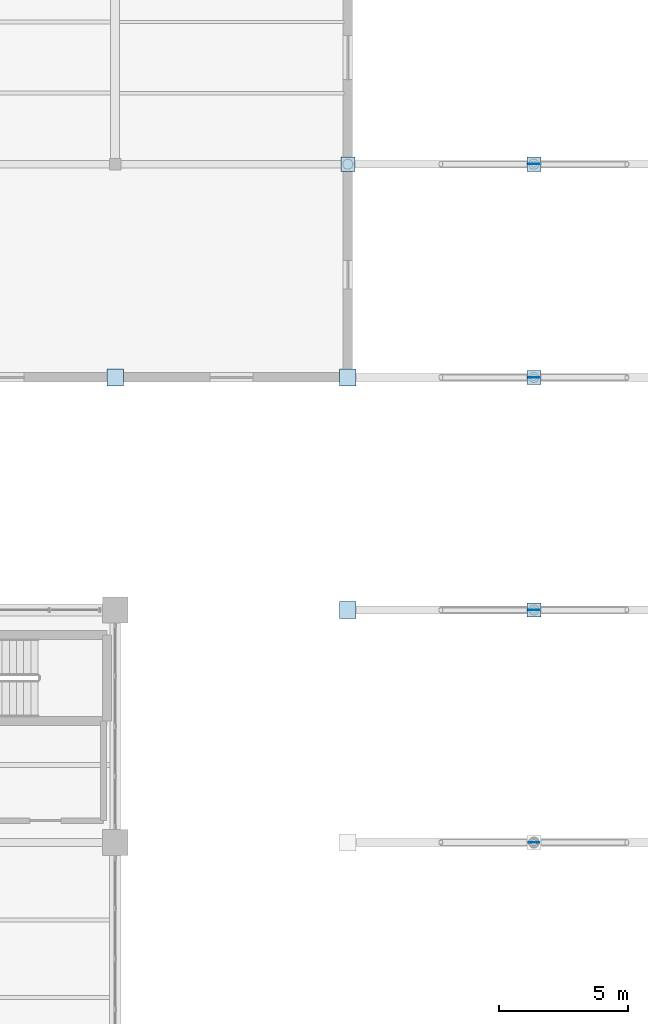
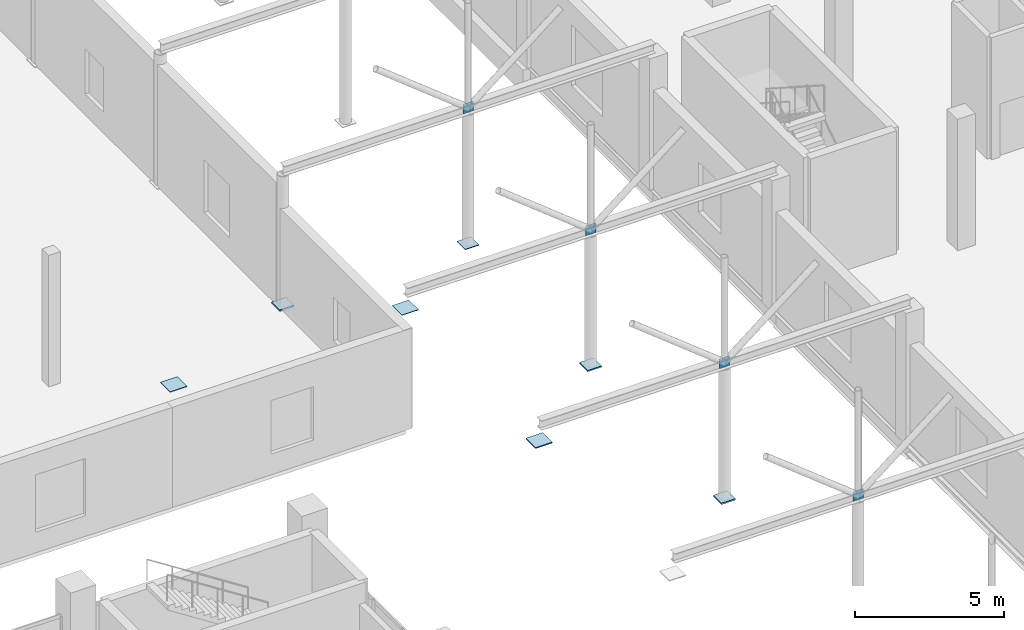
# One storey, part 125 of 147: 11 plates.
"""IFC4 building model written with IfcOpenShell, lengths in metres."""

import ifcopenshell
import ifcopenshell.guid

model = None  # the IFC model being written
_history = None  # IfcOwnerHistory: only IFC2X3 demands one
_inside = {}  # id of a spatial element -> (the spatial element, [elements in it])
_under = {}  # id of a project, library or spatial element -> (it, [spatial elements below it])
_declared = {}  # id of a project -> (the project, [libraries it declares])
_typed = {}  # id of a type object -> (the type object, [elements of that type])
_made_of = {}  # id of a material, layer set ... -> (it, [elements and type objects made of it])


def new_model(schema):
    """Start an empty IFC model of exactly this schema.

    Asked for "IFC4X3", IfcOpenShell would pick the latest addendum, in which some entities
    have other attributes; the version numbers below select the first issue.
    IFC2X3 requires an IfcOwnerHistory on every rooted entity: one is made here for all.
    """
    global model, _history
    if schema == "IFC4X3":
        model = ifcopenshell.file(schema_version=(4, 3, 0, 0))
    else:
        model = ifcopenshell.file(schema=schema)
    _inside.clear()
    _under.clear()
    _declared.clear()
    _typed.clear()
    _made_of.clear()
    _history = None
    if model.schema == "IFC2X3":
        org = make("IfcOrganization", Name="unknown")
        user = make(
            "IfcPersonAndOrganization",
            ThePerson=make("IfcPerson", FamilyName="unknown"),
            TheOrganization=org,
        )
        app = make(
            "IfcApplication",
            ApplicationDeveloper=org,
            Version="unknown",
            ApplicationFullName="unknown",
            ApplicationIdentifier="unknown",
        )
        _history = make(
            "IfcOwnerHistory",
            OwningUser=user,
            OwningApplication=app,
            ChangeAction="ADDED",
            CreationDate=0,
        )
    return model


def make(cls, **values):
    """One entity of the class cls with the attributes given. An attribute that is None is left unset."""
    return model.create_entity(
        cls, **{name: value for name, value in values.items() if value is not None}
    )


def rooted(cls, **values):
    """An entity with a GlobalId (a new one), such as an element, a storey or a relation."""
    return make(cls, GlobalId=ifcopenshell.guid.new(), OwnerHistory=_history, **values)


def si_unit(unit_type, name, prefix=None):
    """IfcSIUnit, for example si_unit("LENGTHUNIT", "METRE", prefix="MILLI")."""
    return make("IfcSIUnit", UnitType=unit_type, Prefix=prefix, Name=name)


def assignment(units):
    """IfcUnitAssignment: the units of a project."""
    return None if units is None else make("IfcUnitAssignment", Units=units)


def point(xyz):
    """IfcCartesianPoint."""
    return None if xyz is None else make("IfcCartesianPoint", Coordinates=xyz)


def direction(xyz):
    """IfcDirection."""
    return None if xyz is None else make("IfcDirection", DirectionRatios=xyz)


def frame(location, z_axis=None, x_axis=None):
    """IfcAxis2Placement3D, a coordinate frame: its origin and axes. An axis left out is left unset."""
    return make(
        "IfcAxis2Placement3D",
        Location=point(location),
        Axis=direction(z_axis),
        RefDirection=direction(x_axis),
    )


def frame_2d(location, x_axis=None):
    """IfcAxis2Placement2D, a coordinate frame in the plane: its origin and x axis."""
    return make(
        "IfcAxis2Placement2D", Location=point(location), RefDirection=direction(x_axis)
    )


def origin():
    """The frame at (0, 0, 0) with its axes left unset."""
    return frame((0.0, 0.0, 0.0))


def origin_2d():
    """The frame at (0, 0) in the plane with its x axis left unset."""
    return frame_2d((0.0, 0.0))


def place(relative_to, where):
    """IfcLocalPlacement: puts the frame where relative to a parent placement (None: the world)."""
    return make(
        "IfcLocalPlacement", PlacementRelTo=relative_to, RelativePlacement=where
    )


def context(
    kind, dimensions, precision=None, world=None, true_north=None, identifier=None
):
    """IfcGeometricRepresentationContext, for example the 3D "Model" context."""
    return make(
        "IfcGeometricRepresentationContext",
        ContextIdentifier=identifier,
        ContextType=kind,
        CoordinateSpaceDimension=dimensions,
        Precision=precision,
        WorldCoordinateSystem=world,
        TrueNorth=true_north,
    )


def subcontext(parent, identifier, kind, view, scale=None):
    """IfcGeometricRepresentationSubContext, for example "Body" below "Model"."""
    return make(
        "IfcGeometricRepresentationSubContext",
        ContextIdentifier=identifier,
        ContextType=kind,
        ParentContext=parent,
        TargetScale=scale,
        TargetView=view,
    )


def project(units=None, contexts=None):
    """IfcProject with its units and contexts."""
    return rooted(
        "IfcProject",
        Name="project",
        RepresentationContexts=contexts,
        UnitsInContext=assignment(units),
    )


def spatial(cls, under=None, at=None, **own):
    """A site, building, storey or space (cls), placed at a placement, below another one or the project."""
    s = rooted(cls, ObjectPlacement=at, **own)
    if under is not None:
        _under.setdefault(under.id(), (under, []))[1].append(s)
    return s


def profile(cls, at=None, kind="AREA", **sizes):
    """A parametric profile (cls). Its sizes go by their IFC names, for example OverallWidth=200.0."""
    return make(cls, ProfileType=kind, Position=at, **sizes)


def rectangle(**sizes):
    """IfcRectangleProfileDef."""
    return profile("IfcRectangleProfileDef", **sizes)


def extrude(swept, where, along, depth):
    """IfcExtrudedAreaSolid: the profile swept, set in the frame where, extruded along a direction by depth."""
    return make(
        "IfcExtrudedAreaSolid",
        SweptArea=swept,
        Position=where,
        ExtrudedDirection=direction(along),
        Depth=depth,
    )


def shape(context_of_items, identifier, shape_type, items):
    """IfcShapeRepresentation: the items that make up one representation, for example the "Body"."""
    return make(
        "IfcShapeRepresentation",
        ContextOfItems=context_of_items,
        RepresentationIdentifier=identifier,
        RepresentationType=shape_type,
        Items=items,
    )


def material(Name=None, Category=None):
    """IfcMaterial."""
    return make("IfcMaterial", Name=Name, Category=Category)


def layer(
    of_material, thickness, ventilated=None, Name=None, Category=None, Priority=None
):
    """IfcMaterialLayer: one layer of a wall or slab, of a material (None: an air gap)."""
    return make(
        "IfcMaterialLayer",
        Material=of_material,
        LayerThickness=thickness,
        IsVentilated=ventilated,
        Name=Name,
        Category=Category,
        Priority=Priority,
    )


def layer_set(layers, Name=None):
    """IfcMaterialLayerSet."""
    return make("IfcMaterialLayerSet", MaterialLayers=layers, LayerSetName=Name)


def made_of(thing, what):
    """Note that an element or type object is made of a material, layer set ...; save() writes the relation."""
    if what is not None:
        _made_of.setdefault(what.id(), (what, []))[1].append(thing)
    return thing


def type_object(cls, material=None, **own):
    """A type object (cls), such as IfcWallType, which elements share."""
    return made_of(rooted(cls, **own), material)


def element(
    cls,
    number,
    at=None,
    inside=None,
    cuts=None,
    type_object=None,
    material=None,
    context=None,
    identifier="Body",
    shape_type=None,
    held_by="IfcProductDefinitionShape",
    body=None,
    shapes=None,
    **own,
):
    """One element of the class cls, such as IfcWall. Its Tag is "e" and its number.

    at: its placement. inside: the storey or other place that contains it. cuts: it is an
    opening in that element (IfcRelVoidsElement). A single representation is given by context,
    identifier, shape_type and body (its items); several are given by shapes. held_by: the class
    of the entity that holds the representations. save() writes the other relations.
    """
    e = rooted(cls, Tag="e%d" % number, ObjectPlacement=at, **own)
    if body is not None:
        shapes = [shape(context, identifier, shape_type, body)]
    if shapes is not None:
        e.Representation = make(held_by, Representations=shapes)
    if inside is not None:
        _inside.setdefault(inside.id(), (inside, []))[1].append(e)
    if cuts is not None:
        rooted(
            "IfcRelVoidsElement", RelatingBuildingElement=cuts, RelatedOpeningElement=e
        )
    if type_object is not None:
        _typed.setdefault(type_object.id(), (type_object, []))[1].append(e)
    return made_of(e, material)


def aggregate(whole, parts):
    """IfcRelAggregates: a whole, such as a stair, and the parts it consists of."""
    return rooted("IfcRelAggregates", RelatingObject=whole, RelatedObjects=parts)


def save(model, path):
    """Write the relations noted so far, then the file.

    IfcRelAggregates (storeys below a building ...), IfcRelContainedInSpatialStructure (elements
    in a storey), IfcRelDefinesByType, IfcRelAssociatesMaterial and IfcRelDeclares: one each for
    every whole, place, type object, material and project.
    """
    for whole, parts in _under.values():
        aggregate(whole, parts)
    for where, things in _inside.values():
        rooted(
            "IfcRelContainedInSpatialStructure",
            RelatedElements=things,
            RelatingStructure=where,
        )
    for kind, things in _typed.values():
        rooted("IfcRelDefinesByType", RelatedObjects=things, RelatingType=kind)
    for what, things in _made_of.values():
        rooted("IfcRelAssociatesMaterial", RelatedObjects=things, RelatingMaterial=what)
    for by, libraries in _declared.values():
        rooted("IfcRelDeclares", RelatingContext=by, RelatedDefinitions=libraries)
    model.write(path)


model = new_model("IFC4")

# Units and contexts
model_context = context("Model", 3, precision=1e-05, world=origin(), true_north=direction((0.0, 1.0)))
body_context = subcontext(model_context, "Body", "Model", "MODEL_VIEW")
ifc_project = project(units=[si_unit("LENGTHUNIT", "METRE"), si_unit("AREAUNIT", "SQUARE_METRE"), si_unit("VOLUMEUNIT", "CUBIC_METRE"), si_unit("PLANEANGLEUNIT", "RADIAN"), si_unit("MASSUNIT", "GRAM", prefix="KILO")], contexts=[model_context])

# Site, building, storey
site_placement = place(None, origin())
site = spatial("IfcSite", under=ifc_project, at=site_placement, CompositionType="ELEMENT")
building_placement = place(site_placement, origin())
building = spatial("IfcBuilding", under=site, at=building_placement, Name="Sundgate Opera House", CompositionType="ELEMENT")
storey_placement = place(building_placement, frame((0.0, 0.0, 6.0)))
storey = spatial("IfcBuildingStorey", under=building, at=storey_placement, Name="L01", CompositionType="ELEMENT", Elevation=6.0)

# Plates
ifc_material_1 = material(Name="Steel S355J2", Category="steel")
ifc_layer_1 = layer(ifc_material_1, 0.030029296875)
ifc_layer_set_1 = layer_set([ifc_layer_1], Name="Steel S355J2")
plate_type_1 = type_object("IfcPlateType", Name="PT-BAS-30", PredefinedType="USERDEFINED", material=ifc_layer_set_1)
plate_1_placement = place(storey_placement, frame((88.199951171875, 95.25, 0.0), z_axis=(0.0, 0.0, 1.0), x_axis=(1.0, 0.0, 0.0)))
element("IfcPlate", 1, at=plate_1_placement, inside=storey, type_object=plate_type_1, Name="L01 Base Plate PT0203", ObjectType="BASE PLATE", PredefinedType="USERDEFINED", context=body_context, shape_type="SweptSolid", body=[
    extrude(rectangle(XDim=0.5458984375, YDim=0.5458984375, at=origin_2d()), origin(), (0.0, 0.0, 1.0), 0.030029296875),
])
ifc_material_2 = material(Name="Steel S355J2", Category="steel")
ifc_layer_2 = layer(ifc_material_2, 0.055908203125)
ifc_layer_set_2 = layer_set([ifc_layer_2], Name="Steel S355J2")
plate_type_2 = type_object("IfcPlateType", Name="PT-BAS-56", PredefinedType="USERDEFINED", material=ifc_layer_set_2)
plate_2_placement = place(storey_placement, frame((88.199951171875, 87.0, 0.0), z_axis=(0.0, 0.0, 1.0), x_axis=(1.0, 0.0, 0.0)))
element("IfcPlate", 2, at=plate_2_placement, inside=storey, type_object=plate_type_2, Name="L01 Base Plate PT0201", ObjectType="BASE PLATE", PredefinedType="USERDEFINED", context=body_context, shape_type="SweptSolid", body=[
    extrude(rectangle(XDim=0.5458984375, YDim=0.5458984375, at=origin_2d()), origin(), (0.0, 0.0, 1.0), 0.055908203125),
])
ifc_material_3 = material(Name="Steel S355J2", Category="steel")
ifc_layer_3 = layer(ifc_material_3, 0.06201171875)
ifc_layer_set_3 = layer_set([ifc_layer_3], Name="Steel S355J2")
plate_type_3 = type_object("IfcPlateType", Name="PT-BAS-62", PredefinedType="USERDEFINED", material=ifc_layer_set_3)
for number, where, z_axis, x_axis, name in (
    (3, (81.0, 95.25, 0.0), (0.0, 0.0, 1.0), (1.0, 0.0, 0.0), "L01 Base Plate PT0173"),
    (4, (88.199951171875, 78.0, 0.0), (0.0, 0.0, 1.0), (1.0, 0.0, 0.0), "L01 Base Plate PT0199"),
):
    element("IfcPlate", number, at=place(storey_placement, frame(where, z_axis=z_axis, x_axis=x_axis)), inside=storey, type_object=plate_type_3, Name=name, ObjectType="BASE PLATE", PredefinedType="USERDEFINED", context=body_context, shape_type="SweptSolid", body=[
        extrude(rectangle(XDim=0.5458984375, YDim=0.5458984375, at=origin_2d()), origin(), (0.0, 0.0, 1.0), 0.06201171875),
    ])
ifc_material_4 = material(Name="Steel S355J2", Category="steel")
ifc_layer_4 = layer(ifc_material_4, 0.02197265625)
ifc_layer_set_4 = layer_set([ifc_layer_4], Name="Steel S355J2")
plate_type_4 = type_object("IfcPlateType", Name="PT-GUS-22", PredefinedType="USERDEFINED", material=ifc_layer_set_4)
for number, where, z_axis, x_axis, name in (
    (5, (88.199951171875, 69.0, 5.39501953125), (0.0, 0.0, 1.0), (1.0, 0.0, 0.0), "Passage Strut Shared Base Gusset"),
    (6, (88.199951171875, 78.0, 5.39501953125), (0.0, 0.0, 1.0), (1.0, 0.0, 0.0), "Passage Strut Shared Base Gusset"),
    (7, (88.199951171875, 87.0, 5.39501953125), (0.0, 0.0, 1.0), (1.0, 0.0, 0.0), "Passage Strut Shared Base Gusset"),
    (8, (88.199951171875, 95.25, 5.39501953125), (0.0, 0.0, 1.0), (1.0, 0.0, 0.0), "Passage Strut Shared Base Gusset"),
):
    element("IfcPlate", number, at=place(storey_placement, frame(where, z_axis=z_axis, x_axis=x_axis)), inside=storey, type_object=plate_type_4, Name=name, ObjectType="GUSSET PLATE", PredefinedType="USERDEFINED", context=body_context, shape_type="SweptSolid", body=[
        extrude(rectangle(XDim=0.39990234375, YDim=0.02197265625, at=origin_2d()), origin(), (0.0, 0.0, 1.0), 0.39990234375),
    ])
ifc_material_5 = material(Name="Steel S355J2", Category="steel")
ifc_layer_5 = layer(ifc_material_5, 0.02490234375)
ifc_layer_set_5 = layer_set([ifc_layer_5], Name="Steel S355J2")
plate_type_5 = type_object("IfcPlateType", Name="PT-GUS-25", PredefinedType="USERDEFINED", material=ifc_layer_set_5)
for number, where, z_axis, x_axis, name in (
    (9, (72.0, 87.0, 4.87744140625), (0.0, 0.0, 1.0), (1.0, 0.0, 0.0), "Cantilever Node Gusset Plate PT0422"),
    (10, (81.0, 87.0, 4.87744140625), (0.0, 0.0, 1.0), (1.0, 0.0, 0.0), "Cantilever Node Gusset Plate PT0450"),
):
    element("IfcPlate", number, at=place(storey_placement, frame(where, z_axis=z_axis, x_axis=x_axis)), inside=storey, type_object=plate_type_5, Name=name, ObjectType="GUSSET PLATE", PredefinedType="USERDEFINED", context=body_context, shape_type="SweptSolid", body=[
        extrude(rectangle(XDim=0.64990234375, YDim=0.64990234375, at=origin_2d()), origin(), (0.0, 0.0, 1.0), 0.02490234375),
    ])
ifc_material_6 = material(Name="Steel S355J2", Category="steel")
ifc_layer_6 = layer(ifc_material_6, 0.0419921875)
ifc_layer_set_6 = layer_set([ifc_layer_6], Name="Steel S355J2")
plate_type_6 = type_object("IfcPlateType", Name="PT-GUS-42", PredefinedType="USERDEFINED", material=ifc_layer_set_6)
plate_3_placement = place(storey_placement, frame((81.0, 78.0, 4.868896484375), z_axis=(0.0, 0.0, 1.0), x_axis=(1.0, 0.0, 0.0)))
element("IfcPlate", 11, at=plate_3_placement, inside=storey, type_object=plate_type_6, Name="Cantilever Node Gusset Plate PT0442", ObjectType="GUSSET PLATE", PredefinedType="USERDEFINED", context=body_context, shape_type="SweptSolid", body=[
    extrude(rectangle(XDim=0.64990234375, YDim=0.64990234375, at=origin_2d()), origin(), (0.0, 0.0, 1.0), 0.0419921875),
])

save(model, "model.ifc")
